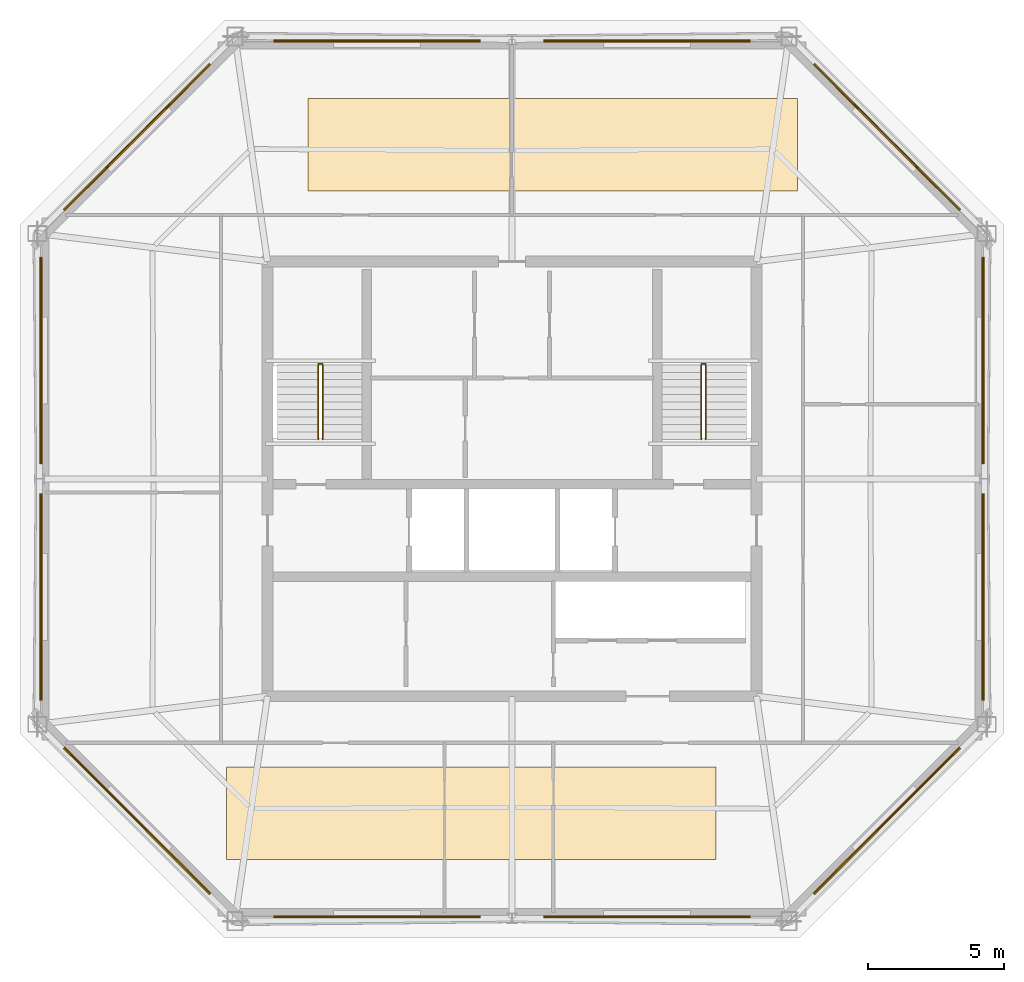
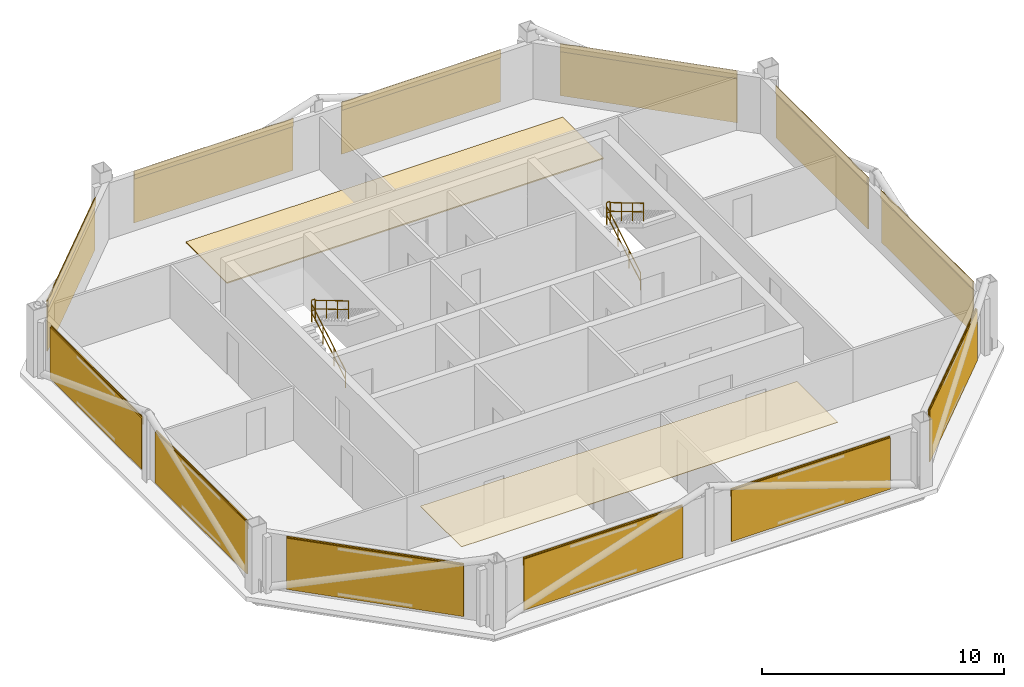
# One storey, part 5 of 5: 14 coverings, 12 shading devices, 6 railings.
"""IFC4 building model written with IfcOpenShell, lengths in metres."""

from ifc_helpers import new_model, si_unit, direction, frame, origin, origin_2d, place, context, subcontext, project, spatial, polyline, rectangle, circle, outline, extrude, material, layer, layer_set, type_object, element, save


model = new_model("IFC4")

# Units and contexts
model_context = context("Model", 3, precision=1e-05, world=origin(), true_north=direction((0.0, 1.0)))
body_context = subcontext(model_context, "Body", "Model", "MODEL_VIEW")
ifc_project = project(units=[si_unit("LENGTHUNIT", "METRE"), si_unit("AREAUNIT", "SQUARE_METRE"), si_unit("VOLUMEUNIT", "CUBIC_METRE"), si_unit("PLANEANGLEUNIT", "RADIAN"), si_unit("MASSUNIT", "GRAM", prefix="KILO")], contexts=[model_context])

# Site, building, storey
site_placement = place(None, origin())
site = spatial("IfcSite", under=ifc_project, at=site_placement, CompositionType="ELEMENT")
building_placement = place(site_placement, origin())
building = spatial("IfcBuilding", under=site, at=building_placement, Name="Caelvoria Tower", CompositionType="ELEMENT")
storey_placement = place(building_placement, frame((0.0, 0.0, 271.800048828125)))
storey = spatial("IfcBuildingStorey", under=building, at=storey_placement, Name="L72", CompositionType="ELEMENT", Elevation=271.800048828125)

# Coverings
ifc_material_1 = material(Name="Acoustic Mineral Fibre Tile", Category="gypsum")
ifc_layer_1 = layer(ifc_material_1, 0.02490234375, Name="Acoustic Mineral Fibre Tile")
ifc_layer_set_1 = layer_set([ifc_layer_1], Name="Mineral-Fibre Acoustic Suspended Ceiling 25 - Acoustic Mineral Fibre Tile")
covering_type_1 = type_object("IfcCoveringType", Name="Mineral-Fibre Acoustic Suspended Ceiling 25", PredefinedType="CEILING", material=ifc_layer_set_1)
covering_1_placement = place(storey_placement, frame((0.0, 0.0, 2.64990234375)))
element("IfcCovering", 1, at=covering_1_placement, inside=storey, type_object=covering_type_1, Name="Suspended Acoustic Ceiling L72", PredefinedType="CEILING", context=body_context, shape_type="SweptSolid", body=[
    extrude(outline(polyline([(35.5, 18.0), (53.5, 18.0), (53.5, 21.39990234375), (35.5, 21.39990234375), (35.5, 18.0)])), origin(), (0.0, 0.0, 1.0), 0.025146484375),
])
ifc_material_2 = material(Name="Perforated Architectural Bronze Cladding Screen", Category="bronze")
ifc_layer_2 = layer(ifc_material_2, 0.0400390625, Name="Perforated Architectural Bronze Cladding Screen")
ifc_layer_set_2 = layer_set([ifc_layer_2], Name="Perforated Bronze Louvre Cladding Band 40 - Perforated Architectural Bronze Cladding Screen")
covering_type_2 = type_object("IfcCoveringType", Name="Perforated Bronze Louvre Cladding Band 40", PredefinedType="CLADDING", material=ifc_layer_set_2)
for number, where, z_axis, x_axis, name in (
    (2, (41.0390625, 15.904541015625, 2.412109375), (0.0, 0.0, 1.0), (1.0, 0.0, 0.0), "Perforated Bronze Screen Band L72-E0-00"),
    (3, (50.9609375, 15.904541015625, 2.412109375), (0.0, 0.0, 1.0), (1.0, 0.0, 0.0), "Perforated Bronze Screen Band L72-E0-01"),
    (4, (59.782958984375, 19.435302734375, 2.412109375), (0.0, 0.0, 1.0), (0.707106781187, 0.707106781187, 0.0), "Perforated Bronze Screen Band L72-E1-00"),
    (5, (63.313720703125, 27.648193359375, 2.412109375), (0.0, 0.0, 1.0), (0.0, 1.0, 0.0), "Perforated Bronze Screen Band L72-E2-00"),
    (6, (63.313720703125, 36.351806640625, 2.412109375), (0.0, 0.0, 1.0), (0.0, 1.0, 0.0), "Perforated Bronze Screen Band L72-E2-01"),
    (7, (59.782958984375, 44.564697265625, 2.412109375), (0.0, 0.0, 1.0), (-0.707106781187, 0.707106781187, 0.0), "Perforated Bronze Screen Band L72-E3-00"),
    (8, (50.9609375, 48.095458984375, 2.412109375), (0.0, 0.0, 1.0), (-1.0, 0.0, 0.0), "Perforated Bronze Screen Band L72-E4-00"),
    (9, (41.0390625, 48.095458984375, 2.412109375), (0.0, 0.0, 1.0), (-1.0, 0.0, 0.0), "Perforated Bronze Screen Band L72-E4-01"),
    (10, (32.217041015625, 44.564697265625, 2.412109375), (0.0, 0.0, 1.0), (-0.707106781187, -0.707106781187, 0.0), "Perforated Bronze Screen Band L72-E5-00"),
    (11, (28.686279296875, 36.351806640625, 2.412109375), (0.0, 0.0, 1.0), (0.0, -1.0, 0.0), "Perforated Bronze Screen Band L72-E6-00"),
    (12, (28.686279296875, 27.648193359375, 2.412109375), (0.0, 0.0, 1.0), (0.0, -1.0, 0.0), "Perforated Bronze Screen Band L72-E6-01"),
    (13, (32.217041015625, 19.435302734375, 2.412109375), (0.0, 0.0, 1.0), (0.707106781187, -0.707106781187, 0.0), "Perforated Bronze Screen Band L72-E7-00"),
):
    element("IfcCovering", number, at=place(storey_placement, frame(where, z_axis=z_axis, x_axis=x_axis)), inside=storey, type_object=covering_type_2, Name=name, PredefinedType="CLADDING", context=body_context, shape_type="SweptSolid", body=[
        extrude(rectangle(XDim=7.60009765625, YDim=0.0400390625, at=origin_2d()), origin(), (0.0, 0.0, 1.0), 0.39990234375),
    ])

# Shading devices
ifc_material_3 = material(Name="Perforated Architectural Bronze Alloy Panel", Category="bronze")
ifc_layer_3 = layer(ifc_material_3, 0.044921875, Name="Perforated Architectural Bronze Alloy Panel")
ifc_layer_set_3 = layer_set([ifc_layer_3], Name="Perforated Bronze Solar Screen Panel SCREEN - Perforated Architectural Bronze Alloy Panel")
shading_device_type = type_object("IfcShadingDeviceType", Name="Perforated Bronze Solar Screen Panel SCREEN", PredefinedType="USERDEFINED", material=ifc_layer_set_3)
for number, where, z_axis, x_axis, name in (
    (14, (41.0390625, 15.861572265625, 0.16015625), (0.0, 0.0, 1.0), (1.0, 0.0, 0.0), "Perforated Bronze Solar Screen L72-E0-00"),
    (15, (50.9609375, 15.861572265625, 0.16015625), (0.0, 0.0, 1.0), (1.0, 0.0, 0.0), "Perforated Bronze Solar Screen L72-E0-01"),
    (16, (59.813232421875, 19.40478515625, 0.16015625), (0.0, 0.0, 1.0), (0.707106781187, 0.707106781187, 0.0), "Perforated Bronze Solar Screen L72-E1-00"),
    (17, (63.356689453125, 27.648193359375, 0.16015625), (0.0, 0.0, 1.0), (0.0, 1.0, 0.0), "Perforated Bronze Solar Screen L72-E2-00"),
    (18, (63.356689453125, 36.351806640625, 0.16015625), (0.0, 0.0, 1.0), (0.0, 1.0, 0.0), "Perforated Bronze Solar Screen L72-E2-01"),
    (19, (59.813232421875, 44.59521484375, 0.16015625), (0.0, 0.0, 1.0), (-0.707106781187, 0.707106781187, 0.0), "Perforated Bronze Solar Screen L72-E3-00"),
    (20, (50.9609375, 48.138427734375, 0.16015625), (0.0, 0.0, 1.0), (-1.0, 0.0, 0.0), "Perforated Bronze Solar Screen L72-E4-00"),
    (21, (41.0390625, 48.138427734375, 0.16015625), (0.0, 0.0, 1.0), (-1.0, 0.0, 0.0), "Perforated Bronze Solar Screen L72-E4-01"),
    (22, (32.186767578125, 44.59521484375, 0.16015625), (0.0, 0.0, 1.0), (-0.707106781187, -0.707106781187, 0.0), "Perforated Bronze Solar Screen L72-E5-00"),
    (23, (28.643310546875, 36.351806640625, 0.16015625), (0.0, 0.0, 1.0), (0.0, -1.0, 0.0), "Perforated Bronze Solar Screen L72-E6-00"),
    (24, (28.643310546875, 27.648193359375, 0.16015625), (0.0, 0.0, 1.0), (0.0, -1.0, 0.0), "Perforated Bronze Solar Screen L72-E6-01"),
    (25, (32.186767578125, 19.40478515625, 0.16015625), (0.0, 0.0, 1.0), (0.707106781187, -0.707106781187, 0.0), "Perforated Bronze Solar Screen L72-E7-00"),
):
    element("IfcShadingDevice", number, at=place(storey_placement, frame(where, z_axis=z_axis, x_axis=x_axis)), inside=storey, type_object=shading_device_type, Name=name, ObjectType="SCREEN", PredefinedType="USERDEFINED", context=body_context, shape_type="SweptSolid", body=[
        extrude(rectangle(XDim=7.60009765625, YDim=0.044921875, at=origin_2d()), origin(), (0.0, 0.0, 1.0), 2.592041015625),
    ])

# Covering
ifc_material_4 = material(Name="Calcium-Sulphate Raised Floor Tile", Category="gypsum")
ifc_layer_4 = layer(ifc_material_4, 0.06005859375, Name="Calcium-Sulphate Raised Floor Tile")
ifc_layer_set_4 = layer_set([ifc_layer_4], Name="Raised Access Office Floor System 120 - Calcium-Sulphate Raised Floor Tile")
covering_type_3 = type_object("IfcCoveringType", Name="Raised Access Office Floor System 120", PredefinedType="FLOORING", material=ifc_layer_set_4)
covering_2_placement = place(storey_placement, origin())
element("IfcCovering", 26, at=covering_2_placement, inside=storey, type_object=covering_type_3, Name="Raised Access Flooring L72", PredefinedType="FLOORING", context=body_context, shape_type="SweptSolid", body=[
    extrude(outline(polyline([(38.5, 42.60009765625), (56.5, 42.60009765625), (56.5, 46.0), (38.5, 46.0), (38.5, 42.60009765625)])), origin(), (0.0, 0.0, 1.0), 0.06005859375),
])

# Railings
ifc_material_5 = material(Name="Brushed Stainless Steel Tube", Category="steel")
railing_type_1 = type_object("IfcRailingType", Name="Stair Tubular Stainless Handrail 920", PredefinedType="HANDRAIL", material=ifc_material_5)
railing_1_placement = place(storey_placement, frame((38.8701171875, 33.449951171875, 0.16357421875)))
element("IfcRailing", 27, at=railing_1_placement, inside=storey, type_object=railing_type_1, Name="ST-01 Flight 1 Handrail L72", PredefinedType="HANDRAIL", context=body_context, shape_type="SweptSolid", body=[
    extrude(circle(Radius=0.02392578125, at=origin_2d()), frame((0.0, 0.0, 0.89599609375), z_axis=(0.0, 0.859351957796, 0.511384603436), x_axis=(-1.0, 0.0, 0.0)), (0.0, 0.0, 1.0), 3.2001953125),
    extrude(circle(Radius=0.02392578125, at=origin_2d()), frame((0.0, 0.0, 0.4599609375), z_axis=(0.0, 0.859351957796, 0.511384603436), x_axis=(-1.0, 0.0, 0.0)), (0.0, 0.0, 1.0), 3.2001953125),
    extrude(circle(Radius=0.02099609375, at=origin_2d()), origin(), (0.0, 0.0, 1.0), 0.871826171875),
    extrude(circle(Radius=0.02099609375, at=origin_2d()), frame((0.0, 0.916748046875, 0.54541015625)), (0.0, 0.0, 1.0), 0.871826171875),
    extrude(circle(Radius=0.02099609375, at=origin_2d()), frame((0.0, 1.833251953125, 1.091064453125)), (0.0, 0.0, 1.0), 0.871826171875),
    extrude(circle(Radius=0.02099609375, at=origin_2d()), frame((0.0, 2.75, 1.636474609375)), (0.0, 0.0, 1.0), 0.871826171875),
])
railing_2_placement = place(storey_placement, frame((39.030029296875, 36.199951171875, 1.963623046875)))
element("IfcRailing", 28, at=railing_2_placement, inside=storey, type_object=railing_type_1, Name="ST-01 Flight 2 Handrail L72", PredefinedType="HANDRAIL", context=body_context, shape_type="SweptSolid", body=[
    extrude(circle(Radius=0.02392578125, at=origin_2d()), frame((0.0, 0.0, 0.89599609375), z_axis=(0.0, -0.859385484447, 0.511328259656), x_axis=(1.0, 0.0, 0.0)), (0.0, 0.0, 1.0), 3.199951171875),
    extrude(circle(Radius=0.02392578125, at=origin_2d()), frame((0.0, 0.0, 0.4599609375), z_axis=(0.0, -0.859385484447, 0.511328259656), x_axis=(1.0, 0.0, 0.0)), (0.0, 0.0, 1.0), 3.199951171875),
    extrude(circle(Radius=0.02099609375, at=origin_2d()), origin(), (0.0, 0.0, 1.0), 0.871826171875),
    extrude(circle(Radius=0.02099609375, at=origin_2d()), frame((0.0, -0.916748046875, 0.54541015625)), (0.0, 0.0, 1.0), 0.871826171875),
    extrude(circle(Radius=0.02099609375, at=origin_2d()), frame((0.0, -1.833251953125, 1.0908203125)), (0.0, 0.0, 1.0), 0.871826171875),
    extrude(circle(Radius=0.02099609375, at=origin_2d()), frame((0.0, -2.75, 1.63623046875)), (0.0, 0.0, 1.0), 0.871826171875),
])
railing_3_placement = place(storey_placement, frame((52.969970703125, 33.449951171875, 0.16357421875)))
element("IfcRailing", 29, at=railing_3_placement, inside=storey, type_object=railing_type_1, Name="ST-02 Flight 1 Handrail L72", PredefinedType="HANDRAIL", context=body_context, shape_type="SweptSolid", body=[
    extrude(circle(Radius=0.02392578125, at=origin_2d()), frame((0.0, 0.0, 0.89599609375), z_axis=(0.0, 0.859351957796, 0.511384603436), x_axis=(-1.0, 0.0, 0.0)), (0.0, 0.0, 1.0), 3.2001953125),
    extrude(circle(Radius=0.02392578125, at=origin_2d()), frame((0.0, 0.0, 0.4599609375), z_axis=(0.0, 0.859351957796, 0.511384603436), x_axis=(-1.0, 0.0, 0.0)), (0.0, 0.0, 1.0), 3.2001953125),
    extrude(circle(Radius=0.02099609375, at=origin_2d()), origin(), (0.0, 0.0, 1.0), 0.871826171875),
    extrude(circle(Radius=0.02099609375, at=origin_2d()), frame((0.0, 0.916748046875, 0.54541015625)), (0.0, 0.0, 1.0), 0.871826171875),
    extrude(circle(Radius=0.02099609375, at=origin_2d()), frame((0.0, 1.833251953125, 1.091064453125)), (0.0, 0.0, 1.0), 0.871826171875),
    extrude(circle(Radius=0.02099609375, at=origin_2d()), frame((0.0, 2.75, 1.636474609375)), (0.0, 0.0, 1.0), 0.871826171875),
])
railing_4_placement = place(storey_placement, frame((53.1298828125, 36.199951171875, 1.963623046875)))
element("IfcRailing", 30, at=railing_4_placement, inside=storey, type_object=railing_type_1, Name="ST-02 Flight 2 Handrail L72", PredefinedType="HANDRAIL", context=body_context, shape_type="SweptSolid", body=[
    extrude(circle(Radius=0.02392578125, at=origin_2d()), frame((0.0, 0.0, 0.89599609375), z_axis=(0.0, -0.859385484447, 0.511328259656), x_axis=(1.0, 0.0, 0.0)), (0.0, 0.0, 1.0), 3.199951171875),
    extrude(circle(Radius=0.02392578125, at=origin_2d()), frame((0.0, 0.0, 0.4599609375), z_axis=(0.0, -0.859385484447, 0.511328259656), x_axis=(1.0, 0.0, 0.0)), (0.0, 0.0, 1.0), 3.199951171875),
    extrude(circle(Radius=0.02099609375, at=origin_2d()), origin(), (0.0, 0.0, 1.0), 0.871826171875),
    extrude(circle(Radius=0.02099609375, at=origin_2d()), frame((0.0, -0.916748046875, 0.54541015625)), (0.0, 0.0, 1.0), 0.871826171875),
    extrude(circle(Radius=0.02099609375, at=origin_2d()), frame((0.0, -1.833251953125, 1.0908203125)), (0.0, 0.0, 1.0), 0.871826171875),
    extrude(circle(Radius=0.02099609375, at=origin_2d()), frame((0.0, -2.75, 1.63623046875)), (0.0, 0.0, 1.0), 0.871826171875),
])
ifc_material_6 = material(Name="Brushed Stainless Steel Guardrail", Category="steel")
railing_type_2 = type_object("IfcRailingType", Name="Stair Well and Ramp Guardrail 1120", PredefinedType="GUARDRAIL", material=ifc_material_6)
for number, where, name in (
    (31, (38.8701171875, 36.239990234375, 1.800048828125), "ST-01 Half-Landing Well Guard L72"),
    (32, (52.969970703125, 36.239990234375, 1.800048828125), "ST-02 Half-Landing Well Guard L72"),
):
    element("IfcRailing", number, at=place(storey_placement, frame(where)), inside=storey, type_object=railing_type_2, Name=name, PredefinedType="GUARDRAIL", context=body_context, shape_type="SweptSolid", body=[
        extrude(circle(Radius=0.02392578125, at=origin_2d()), frame((0.0, 0.0, 1.09619140625), z_axis=(1.0, 0.0, 0.0), x_axis=(0.0, 1.0, 0.0)), (0.0, 0.0, 1.0), 0.159912109375),
        extrude(circle(Radius=0.02392578125, at=origin_2d()), frame((0.0, 0.0, 0.56005859375), z_axis=(1.0, 0.0, 0.0), x_axis=(0.0, 1.0, 0.0)), (0.0, 0.0, 1.0), 0.159912109375),
        extrude(circle(Radius=0.02099609375, at=origin_2d()), origin(), (0.0, 0.0, 1.0), 1.072021484375),
        extrude(circle(Radius=0.02099609375, at=origin_2d()), frame((0.159912109375, 0.0, 0.0)), (0.0, 0.0, 1.0), 1.072021484375),
    ])

save(model, "model.ifc")
